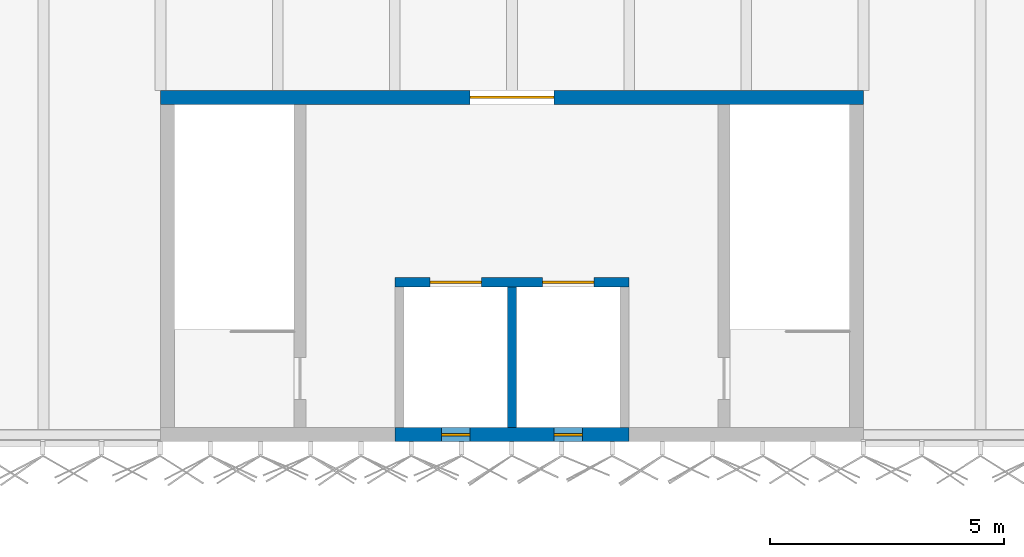
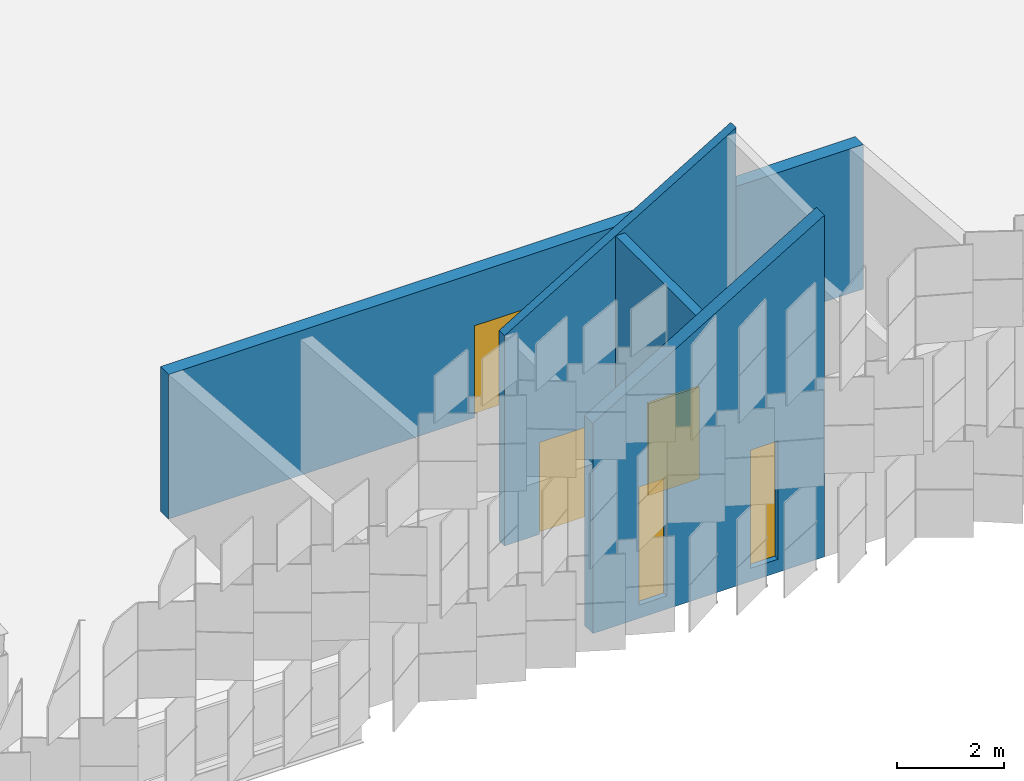
# One storey, part 119 of 483: 4 walls, 3 doors, 2 windows, 5 openings.
"""IFC4 building model written with IfcOpenShell, lengths in metres."""

from ifc_helpers import new_model, si_unit, direction, frame, frame_2d, origin, place, context, subcontext, project, spatial, polyline, rectangle, outline, extrude, material, layer, layer_set, type_object, element, fill, save


model = new_model("IFC4")

# Units and contexts
model_context = context("Model", 3, precision=1e-05, world=origin(), true_north=direction((0.0, 1.0)))
body_context = subcontext(model_context, "Body", "Model", "MODEL_VIEW")
ifc_project = project(units=[si_unit("LENGTHUNIT", "METRE"), si_unit("AREAUNIT", "SQUARE_METRE"), si_unit("VOLUMEUNIT", "CUBIC_METRE"), si_unit("PLANEANGLEUNIT", "RADIAN"), si_unit("MASSUNIT", "GRAM", prefix="KILO")], contexts=[model_context])

# Site, building, storey
site_placement = place(None, origin())
site = spatial("IfcSite", under=ifc_project, at=site_placement, CompositionType="ELEMENT")
building_placement = place(site_placement, origin())
building = spatial("IfcBuilding", under=site, at=building_placement, Name="Parallax Yard Mobility Hub", CompositionType="ELEMENT")
storey_placement = place(building_placement, frame((0.0, 0.0, 13.199951171875)))
storey = spatial("IfcBuildingStorey", under=building, at=storey_placement, Name="L04", CompositionType="ELEMENT", Elevation=13.199951171875)

# Wall, opening, door
ifc_material_1 = material(Name="Concrete fc' 35 MPa", Category="concrete")
ifc_layer_1 = layer(ifc_material_1, 0.300048828125)
ifc_layer_set_1 = layer_set([ifc_layer_1], Name="Concrete fc' 35 MPa core wall 300")
wall_type_1 = type_object("IfcWallType", Name="Concrete fc' 35 MPa core wall 300", PredefinedType="SHEAR", material=ifc_layer_set_1)
wall_1_placement = place(storey_placement, frame((127.5, 119.85009765625, 0.0), z_axis=(0.0, 0.0, 1.0), x_axis=(1.0, 0.0, 0.0)))
wall_1 = element("IfcWall", 1, at=wall_1_placement, inside=storey, type_object=wall_type_1, Name="Core C-N2 entry wall level L04", PredefinedType="SHEAR", context=body_context, shape_type="SweptSolid", body=[
    extrude(rectangle(XDim=15.0, YDim=0.300048828125, at=frame_2d((7.5, 0.0))), origin(), (0.0, 0.0, 1.0), 3.300048828125),
])
opening_1_placement = place(wall_1_placement, frame((6.60009765625, 0.0, 0.0)))
opening_1 = element("IfcOpeningElement", 2, at=opening_1_placement, cuts=wall_1, Name="Opening L04-D714", PredefinedType="OPENING", context=body_context, shape_type="SweptSolid", body=[
    extrude(rectangle(XDim=1.800048828125, YDim=2.10009765625, at=frame_2d((0.89990234375, 1.050048828125))), frame((0.0, 0.16015625, 0.0), z_axis=(0.0, -1.0, 0.0), x_axis=(1.0, 0.0, 0.0)), (0.0, 0.0, 1.0), 0.320068359375),
])
ifc_material_2 = material(Name="Hollow metal steel door and frame", Category="steel")
door_type_1 = type_object("IfcDoorType", Name="Core double door 1800 x 2100 FD90", OperationType="NOTDEFINED", PredefinedType="DOOR", material=ifc_material_2)
door_1_placement = place(opening_1_placement, origin())
door_1 = element("IfcDoor", 3, at=door_1_placement, inside=storey, type_object=door_type_1, Name="Lift lobby door L04-D714, core C-N2 level L04", OperationType="DOUBLE_DOOR_SINGLE_SWING", OverallHeight=2.10009765625, OverallWidth=1.800048828125, PredefinedType="DOOR", context=body_context, shape_type="SweptSolid", body=[
    extrude(rectangle(XDim=1.800048828125, YDim=2.10009765625, at=frame_2d((0.89990234375, 1.050048828125))), frame((0.0, 0.02490234375, 0.0), z_axis=(0.0, -1.0, 0.0), x_axis=(1.0, 0.0, 0.0)), (0.0, 0.0, 1.0), 0.050048828125),
])
fill(opening_1, door_1)

# Wall, openings, windows
wall_2_placement = place(storey_placement, frame((137.5, 112.64990234375, 0.0), z_axis=(0.0, 0.0, 1.0), x_axis=(-1.0, 0.0, 0.0)))
wall_2 = element("IfcWall", 4, at=wall_2_placement, inside=storey, type_object=wall_type_1, Name="Core C-N2 back wall part 2 level L04", PredefinedType="SHEAR", context=body_context, shape_type="SweptSolid", body=[
    extrude(outline(polyline([(0.0, 0.0), (5.0, 0.0), (5.0, 4.800048828125), (0.0, 7.800048828125), (0.0, 0.0)])), frame((0.0, 0.14990234375, 0.0), z_axis=(0.0, -1.0, 0.0), x_axis=(1.0, 0.0, 0.0)), (0.0, 0.0, 1.0), 0.300048828125),
])
opening_2_placement = place(wall_2_placement, frame((1.0, 0.0, 0.300048828125)))
opening_2 = element("IfcOpeningElement", 5, at=opening_2_placement, cuts=wall_2, Name="Opening CW-S1", PredefinedType="OPENING", context=body_context, shape_type="SweptSolid", body=[
    extrude(rectangle(XDim=0.60009765625, YDim=2.699951171875, at=frame_2d((0.300048828125, 1.35009765625))), frame((0.0, 0.16015625, 0.0), z_axis=(0.0, -1.0, 0.0), x_axis=(1.0, 0.0, 0.0)), (0.0, 0.0, 1.0), 0.320068359375),
])
opening_3_placement = place(wall_2_placement, frame((3.39990234375, 0.0, 0.300048828125)))
opening_3 = element("IfcOpeningElement", 6, at=opening_3_placement, cuts=wall_2, Name="Opening CW-S1", PredefinedType="OPENING", context=body_context, shape_type="SweptSolid", body=[
    extrude(rectangle(XDim=0.60009765625, YDim=2.699951171875, at=frame_2d((0.300048828125, 1.35009765625))), frame((0.0, 0.16015625, 0.0), z_axis=(0.0, -1.0, 0.0), x_axis=(1.0, 0.0, 0.0)), (0.0, 0.0, 1.0), 0.320068359375),
])
ifc_material_3 = material(Name="Fire-resisting glazing in a steel frame", Category="steel")
window_type = type_object("IfcWindowType", Name="Core slot window 600 x 2700", PartitioningType="SINGLE_PANEL", PredefinedType="WINDOW", material=ifc_material_3)
window_1_placement = place(opening_2_placement, origin())
window_1 = element("IfcWindow", 7, at=window_1_placement, inside=storey, type_object=window_type, Name="Glazed slot 1, core C-N2 level L04", OverallHeight=2.699951171875, OverallWidth=0.60009765625, PartitioningType="SINGLE_PANEL", PredefinedType="WINDOW", context=body_context, shape_type="SweptSolid", body=[
    extrude(rectangle(XDim=0.60009765625, YDim=2.699951171875, at=frame_2d((0.300048828125, 1.35009765625))), frame((0.0, 0.030029296875, 0.0), z_axis=(0.0, -1.0, 0.0), x_axis=(1.0, 0.0, 0.0)), (0.0, 0.0, 1.0), 0.06005859375),
])
fill(opening_2, window_1)
window_2_placement = place(opening_3_placement, origin())
window_2 = element("IfcWindow", 8, at=window_2_placement, inside=storey, type_object=window_type, Name="Glazed slot 2, core C-N2 level L04", OverallHeight=2.699951171875, OverallWidth=0.60009765625, PartitioningType="SINGLE_PANEL", PredefinedType="WINDOW", context=body_context, shape_type="SweptSolid", body=[
    extrude(rectangle(XDim=0.60009765625, YDim=2.699951171875, at=frame_2d((0.300048828125, 1.35009765625))), frame((0.0, 0.030029296875, 0.0), z_axis=(0.0, -1.0, 0.0), x_axis=(1.0, 0.0, 0.0)), (0.0, 0.0, 1.0), 0.06005859375),
])
fill(opening_3, window_2)

# Wall, openings, doors
ifc_layer_2 = layer(ifc_material_1, 0.199951171875)
ifc_layer_set_2 = layer_set([ifc_layer_2], Name="Concrete fc' 35 MPa internal core wall 200")
wall_type_2 = type_object("IfcWallType", Name="Concrete fc' 35 MPa internal core wall 200", PredefinedType="STANDARD", material=ifc_layer_set_2)
wall_3_placement = place(storey_placement, frame((137.5, 115.89990234375, 0.0), z_axis=(0.0, 0.0, 1.0), x_axis=(-1.0, 0.0, 0.0)))
wall_3 = element("IfcWall", 9, at=wall_3_placement, inside=storey, type_object=wall_type_2, Name="Core C-N2 lift front 2 part 2 level L04", PredefinedType="STANDARD", context=body_context, shape_type="SweptSolid", body=[
    extrude(outline(polyline([(0.0, 0.0), (5.0, 0.0), (5.0, 4.800048828125), (0.0, 7.800048828125), (0.0, 0.0)])), frame((0.0, 0.10009765625, 0.0), z_axis=(0.0, -1.0, 0.0), x_axis=(1.0, 0.0, 0.0)), (0.0, 0.0, 1.0), 0.199951171875),
])
opening_4_placement = place(wall_3_placement, frame((0.75, 0.0, 0.0)))
opening_4 = element("IfcOpeningElement", 10, at=opening_4_placement, cuts=wall_3, Name="Opening L04-D717", PredefinedType="OPENING", context=body_context, shape_type="SweptSolid", body=[
    extrude(rectangle(XDim=1.10009765625, YDim=2.10009765625, at=frame_2d((0.550048828125, 1.050048828125))), frame((0.0, 0.10986328125, 0.0), z_axis=(0.0, -1.0, 0.0), x_axis=(1.0, 0.0, 0.0)), (0.0, 0.0, 1.0), 0.219970703125),
])
opening_5_placement = place(wall_3_placement, frame((3.14990234375, 0.0, 0.0)))
opening_5 = element("IfcOpeningElement", 11, at=opening_5_placement, cuts=wall_3, Name="Opening L04-D718", PredefinedType="OPENING", context=body_context, shape_type="SweptSolid", body=[
    extrude(rectangle(XDim=1.10009765625, YDim=2.10009765625, at=frame_2d((0.550048828125, 1.050048828125))), frame((0.0, 0.10986328125, 0.0), z_axis=(0.0, -1.0, 0.0), x_axis=(1.0, 0.0, 0.0)), (0.0, 0.0, 1.0), 0.219970703125),
])
ifc_material_4 = material(Name="Stainless steel sliding door and frame", Category="steel")
door_type_2 = type_object("IfcDoorType", Name="Lift landing door 1100 x 2100 FD90", OperationType="DOUBLE_DOOR_SLIDING", PredefinedType="DOOR", material=ifc_material_4)
door_2_placement = place(opening_4_placement, origin())
door_2 = element("IfcDoor", 12, at=door_2_placement, inside=storey, type_object=door_type_2, Name="Lift landing door L04-D717, core C-N2 level L04", OperationType="DOUBLE_DOOR_SLIDING", OverallHeight=2.10009765625, OverallWidth=1.10009765625, PredefinedType="DOOR", context=body_context, shape_type="SweptSolid", body=[
    extrude(rectangle(XDim=1.10009765625, YDim=2.10009765625, at=frame_2d((0.550048828125, 1.050048828125))), frame((0.0, 0.02490234375, 0.0), z_axis=(0.0, -1.0, 0.0), x_axis=(1.0, 0.0, 0.0)), (0.0, 0.0, 1.0), 0.050048828125),
])
fill(opening_4, door_2)
door_3_placement = place(opening_5_placement, origin())
door_3 = element("IfcDoor", 13, at=door_3_placement, inside=storey, type_object=door_type_2, Name="Lift landing door L04-D718, core C-N2 level L04", OperationType="DOUBLE_DOOR_SLIDING", OverallHeight=2.10009765625, OverallWidth=1.10009765625, PredefinedType="DOOR", context=body_context, shape_type="SweptSolid", body=[
    extrude(rectangle(XDim=1.10009765625, YDim=2.10009765625, at=frame_2d((0.550048828125, 1.050048828125))), frame((0.0, 0.02490234375, 0.0), z_axis=(0.0, -1.0, 0.0), x_axis=(1.0, 0.0, 0.0)), (0.0, 0.0, 1.0), 0.050048828125),
])
fill(opening_5, door_3)

# Wall
wall_4_placement = place(storey_placement, frame((135.0, 115.800048828125, 0.0), z_axis=(0.0, 0.0, 1.0), x_axis=(0.0, -1.0, 0.0)))
element("IfcWall", 14, at=wall_4_placement, inside=storey, type_object=wall_type_2, Name="Core C-N2 lift wall 2 part 2 level L04", PredefinedType="STANDARD", context=body_context, shape_type="SweptSolid", body=[
    extrude(rectangle(XDim=3.0, YDim=0.199951171875, at=frame_2d((1.5, 0.0))), origin(), (0.0, 0.0, 1.0), 6.239990234375),
])

save(model, "model.ifc")
